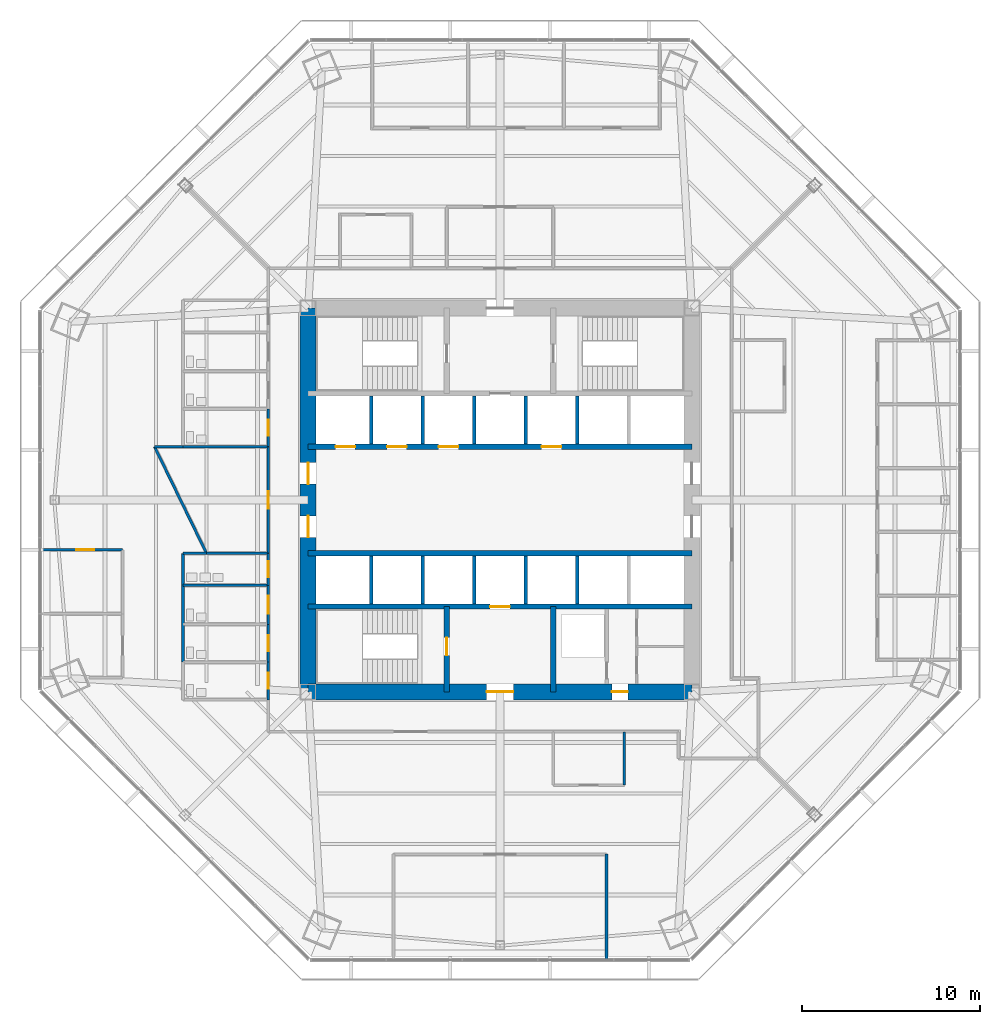
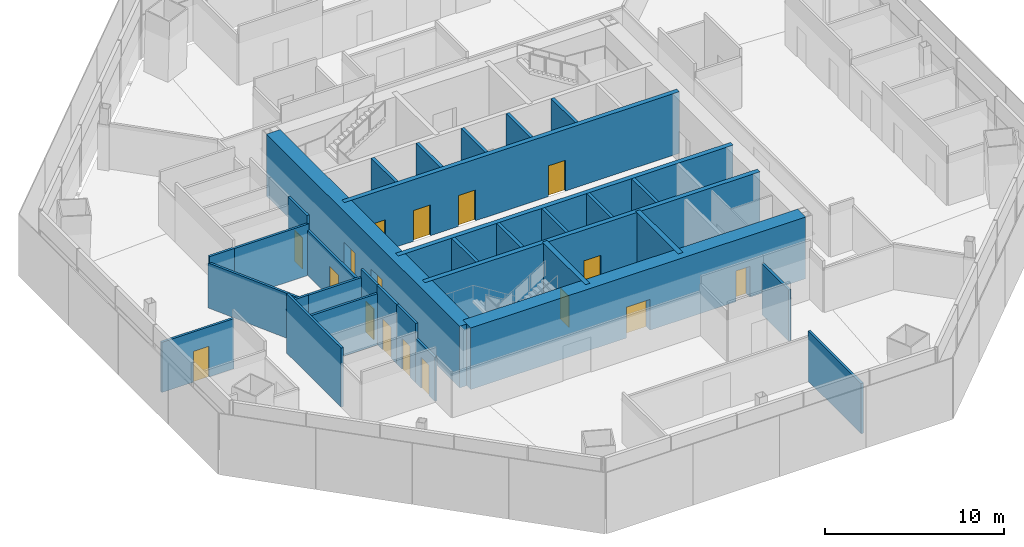
# One storey, part 9 of 15: 33 walls, 17 doors, 17 openings.
"""IFC4 building model written with IfcOpenShell, lengths in metres."""

from ifc_helpers import new_model, si_unit, direction, frame, frame_2d, origin, place, context, subcontext, project, spatial, rectangle, extrude, material, layer, layer_set, type_object, element, fill, save


model = new_model("IFC4")

# Units and contexts
model_context = context("Model", 3, precision=1e-05, world=origin(), true_north=direction((0.0, 1.0)))
body_context = subcontext(model_context, "Body", "Model", "MODEL_VIEW")
ifc_project = project(units=[si_unit("LENGTHUNIT", "METRE"), si_unit("AREAUNIT", "SQUARE_METRE"), si_unit("VOLUMEUNIT", "CUBIC_METRE"), si_unit("PLANEANGLEUNIT", "RADIAN"), si_unit("MASSUNIT", "GRAM", prefix="KILO")], contexts=[model_context])

# Site, building, storey
site_placement = place(None, origin())
site = spatial("IfcSite", under=ifc_project, at=site_placement, CompositionType="ELEMENT")
building_placement = place(site_placement, origin())
building = spatial("IfcBuilding", under=site, at=building_placement, Name="Mashrafa Tower", CompositionType="ELEMENT")
storey_placement = place(building_placement, frame((0.0, 0.0, 75.0)))
storey = spatial("IfcBuildingStorey", under=building, at=storey_placement, Name="L16", CompositionType="ELEMENT", Elevation=75.0)

# Wall, openings, doors
ifc_material_1 = material(Name="Concrete C60/75", Category="concrete")
ifc_layer_1 = layer(ifc_material_1, 0.300048828125)
ifc_layer_set_1 = layer_set([ifc_layer_1], Name="Core wall 300 C60/75")
wall_type_1 = type_object("IfcWallType", Name="Core wall 300 C60/75", PredefinedType="SOLIDWALL", material=ifc_layer_set_1)
wall_1_placement = place(storey_placement, frame((-10.800048828125, 3.0, 0.0), z_axis=(0.0, 0.0, 1.0), x_axis=(1.0, 0.0, 0.0)))
wall_1 = element("IfcWall", 1, at=wall_1_placement, inside=storey, type_object=wall_type_1, Name="Core wall CH-N L16", PredefinedType="SOLIDWALL", context=body_context, shape_type="SweptSolid", body=[
    extrude(rectangle(XDim=21.60009765625, YDim=0.300048828125, at=frame_2d((10.800048828125, 0.0))), origin(), (0.0, 0.0, 1.0), 4.199951171875),
])
opening_1_placement = place(wall_1_placement, frame((1.550048828125, 0.0, 0.0)))
opening_1 = element("IfcOpeningElement", 2, at=opening_1_placement, cuts=wall_1, Name="Opening 16.A1", PredefinedType="OPENING", context=body_context, shape_type="SweptSolid", body=[
    extrude(rectangle(XDim=1.10009765625, YDim=2.10009765625, at=frame_2d((0.550048828125, 1.050048828125))), frame((0.0, 0.159912109375, 0.0), z_axis=(0.0, -1.0, 0.0), x_axis=(1.0, 0.0, 0.0)), (0.0, 0.0, 1.0), 0.320068359375),
])
opening_2_placement = place(wall_1_placement, frame((4.449951171875, 0.0, 0.0)))
opening_2 = element("IfcOpeningElement", 3, at=opening_2_placement, cuts=wall_1, Name="Opening 16.A2", PredefinedType="OPENING", context=body_context, shape_type="SweptSolid", body=[
    extrude(rectangle(XDim=1.10009765625, YDim=2.10009765625, at=frame_2d((0.550048828125, 1.050048828125))), frame((0.0, 0.159912109375, 0.0), z_axis=(0.0, -1.0, 0.0), x_axis=(1.0, 0.0, 0.0)), (0.0, 0.0, 1.0), 0.320068359375),
])
opening_3_placement = place(wall_1_placement, frame((7.35009765625, 0.0, 0.0)))
opening_3 = element("IfcOpeningElement", 4, at=opening_3_placement, cuts=wall_1, Name="Opening 16.A3", PredefinedType="OPENING", context=body_context, shape_type="SweptSolid", body=[
    extrude(rectangle(XDim=1.10009765625, YDim=2.10009765625, at=frame_2d((0.550048828125, 1.050048828125))), frame((0.0, 0.159912109375, 0.0), z_axis=(0.0, -1.0, 0.0), x_axis=(1.0, 0.0, 0.0)), (0.0, 0.0, 1.0), 0.320068359375),
])
opening_4_placement = place(wall_1_placement, frame((13.14990234375, 0.0, 0.0)))
opening_4 = element("IfcOpeningElement", 5, at=opening_4_placement, cuts=wall_1, Name="Opening 16.A4", PredefinedType="OPENING", context=body_context, shape_type="SweptSolid", body=[
    extrude(rectangle(XDim=1.10009765625, YDim=2.10009765625, at=frame_2d((0.550048828125, 1.050048828125))), frame((0.0, 0.159912109375, 0.0), z_axis=(0.0, -1.0, 0.0), x_axis=(1.0, 0.0, 0.0)), (0.0, 0.0, 1.0), 0.320068359375),
])
ifc_material_2 = material(Name="Steel door", Category="steel")
door_type_1 = type_object("IfcDoorType", Name="Lift landing door 1100 x 2100 90 min", OperationType="DOUBLE_DOOR_SLIDING", PredefinedType="DOOR", material=ifc_material_2)
door_1_placement = place(opening_1_placement, origin())
door_1 = element("IfcDoor", 6, at=door_1_placement, inside=storey, type_object=door_type_1, Name="Lift landing door A1 L16", OperationType="DOUBLE_DOOR_SLIDING", OverallHeight=2.10009765625, OverallWidth=1.10009765625, PredefinedType="DOOR", context=body_context, shape_type="SweptSolid", body=[
    extrude(rectangle(XDim=1.10009765625, YDim=2.10009765625, at=frame_2d((0.550048828125, 1.050048828125))), frame((0.0, 0.02490234375, 0.0), z_axis=(0.0, -1.0, 0.0), x_axis=(1.0, 0.0, 0.0)), (0.0, 0.0, 1.0), 0.050048828125),
])
fill(opening_1, door_1)
door_2_placement = place(opening_2_placement, origin())
door_2 = element("IfcDoor", 7, at=door_2_placement, inside=storey, type_object=door_type_1, Name="Lift landing door A2 L16", OperationType="DOUBLE_DOOR_SLIDING", OverallHeight=2.10009765625, OverallWidth=1.10009765625, PredefinedType="DOOR", context=body_context, shape_type="SweptSolid", body=[
    extrude(rectangle(XDim=1.10009765625, YDim=2.10009765625, at=frame_2d((0.550048828125, 1.050048828125))), frame((0.0, 0.02490234375, 0.0), z_axis=(0.0, -1.0, 0.0), x_axis=(1.0, 0.0, 0.0)), (0.0, 0.0, 1.0), 0.050048828125),
])
fill(opening_2, door_2)
door_3_placement = place(opening_3_placement, origin())
door_3 = element("IfcDoor", 8, at=door_3_placement, inside=storey, type_object=door_type_1, Name="Lift landing door A3 L16", OperationType="DOUBLE_DOOR_SLIDING", OverallHeight=2.10009765625, OverallWidth=1.10009765625, PredefinedType="DOOR", context=body_context, shape_type="SweptSolid", body=[
    extrude(rectangle(XDim=1.10009765625, YDim=2.10009765625, at=frame_2d((0.550048828125, 1.050048828125))), frame((0.0, 0.02490234375, 0.0), z_axis=(0.0, -1.0, 0.0), x_axis=(1.0, 0.0, 0.0)), (0.0, 0.0, 1.0), 0.050048828125),
])
fill(opening_3, door_3)
door_4_placement = place(opening_4_placement, origin())
door_4 = element("IfcDoor", 9, at=door_4_placement, inside=storey, type_object=door_type_1, Name="Lift landing door A4 L16", OperationType="DOUBLE_DOOR_SLIDING", OverallHeight=2.10009765625, OverallWidth=1.10009765625, PredefinedType="DOOR", context=body_context, shape_type="SweptSolid", body=[
    extrude(rectangle(XDim=1.10009765625, YDim=2.10009765625, at=frame_2d((0.550048828125, 1.050048828125))), frame((0.0, 0.02490234375, 0.0), z_axis=(0.0, -1.0, 0.0), x_axis=(1.0, 0.0, 0.0)), (0.0, 0.0, 1.0), 0.050048828125),
])
fill(opening_4, door_4)

# Wall
wall_2_placement = place(storey_placement, frame((-10.800048828125, -3.0, 0.0), z_axis=(0.0, 0.0, 1.0), x_axis=(1.0, 0.0, 0.0)))
element("IfcWall", 10, at=wall_2_placement, inside=storey, type_object=wall_type_1, Name="Core wall CH-S L16", PredefinedType="SOLIDWALL", context=body_context, shape_type="SweptSolid", body=[
    extrude(rectangle(XDim=21.60009765625, YDim=0.300048828125, at=frame_2d((10.800048828125, 0.0))), origin(), (0.0, 0.0, 1.0), 4.199951171875),
])

# Wall, opening, door
wall_3_placement = place(storey_placement, frame((-10.800048828125, -6.0, 0.0), z_axis=(0.0, 0.0, 1.0), x_axis=(1.0, 0.0, 0.0)))
wall_3 = element("IfcWall", 11, at=wall_3_placement, inside=storey, type_object=wall_type_1, Name="Core wall CB-S L16", PredefinedType="SOLIDWALL", context=body_context, shape_type="SweptSolid", body=[
    extrude(rectangle(XDim=21.60009765625, YDim=0.300048828125, at=frame_2d((10.800048828125, 0.0))), origin(), (0.0, 0.0, 1.0), 4.199951171875),
])
opening_5_placement = place(wall_3_placement, frame((10.25, 0.0, 0.0)))
opening_5 = element("IfcOpeningElement", 12, at=opening_5_placement, cuts=wall_3, Name="Opening 16.F2", PredefinedType="OPENING", context=body_context, shape_type="SweptSolid", body=[
    extrude(rectangle(XDim=1.10009765625, YDim=2.10009765625, at=frame_2d((0.550048828125, 1.050048828125))), frame((0.0, 0.159912109375, 0.0), z_axis=(0.0, -1.0, 0.0), x_axis=(1.0, 0.0, 0.0)), (0.0, 0.0, 1.0), 0.320068359375),
])
door_5_placement = place(opening_5_placement, origin())
door_5 = element("IfcDoor", 13, at=door_5_placement, inside=storey, type_object=door_type_1, Name="Lift landing door F2 L16", OperationType="DOUBLE_DOOR_SLIDING", OverallHeight=2.10009765625, OverallWidth=1.10009765625, PredefinedType="DOOR", context=body_context, shape_type="SweptSolid", body=[
    extrude(rectangle(XDim=1.10009765625, YDim=2.10009765625, at=frame_2d((0.550048828125, 1.050048828125))), frame((0.0, 0.02490234375, 0.0), z_axis=(0.0, -1.0, 0.0), x_axis=(1.0, 0.0, 0.0)), (0.0, 0.0, 1.0), 0.050048828125),
])
fill(opening_5, door_5)

wall_4_placement = place(storey_placement, frame((-3.0, -6.0, 0.0), z_axis=(0.0, 0.0, 1.0), x_axis=(0.0, -1.0, 0.0)))
wall_4 = element("IfcWall", 14, at=wall_4_placement, inside=storey, type_object=wall_type_1, Name="Core wall CX-SW L16", PredefinedType="SOLIDWALL", context=body_context, shape_type="SweptSolid", body=[
    extrude(rectangle(XDim=4.800048828125, YDim=0.300048828125, at=frame_2d((2.39990234375, 0.0))), origin(), (0.0, 0.0, 1.0), 4.199951171875),
])
opening_6_placement = place(wall_4_placement, frame((1.75, 0.0, 0.0)))
opening_6 = element("IfcOpeningElement", 15, at=opening_6_placement, cuts=wall_4, Name="Opening 16.036", PredefinedType="OPENING", context=body_context, shape_type="SweptSolid", body=[
    extrude(rectangle(XDim=1.0, YDim=2.10009765625, at=frame_2d((0.5, 1.050048828125))), frame((0.0, 0.159912109375, 0.0), z_axis=(0.0, -1.0, 0.0), x_axis=(1.0, 0.0, 0.0)), (0.0, 0.0, 1.0), 0.320068359375),
])
ifc_material_3 = material(Name="Steel door", Category="steel")
door_type_2 = type_object("IfcDoorType", Name="Stair door 1000 x 2100 90 min", OperationType="USERDEFINED", PredefinedType="DOOR", material=ifc_material_3)
door_6_placement = place(opening_6_placement, frame((1.0, 0.0, 0.0), z_axis=(0.0, 0.0, 1.0), x_axis=(-1.0, 0.0, 0.0)))
door_6 = element("IfcDoor", 16, at=door_6_placement, inside=storey, type_object=door_type_2, Name="Stair S3 door L16", OperationType="SINGLE_SWING_RIGHT", OverallHeight=2.10009765625, OverallWidth=1.0, PredefinedType="DOOR", context=body_context, shape_type="SweptSolid", body=[
    extrude(rectangle(XDim=1.0, YDim=2.10009765625, at=frame_2d((0.5, 1.050048828125))), frame((0.0, 0.02490234375, 0.0), z_axis=(0.0, -1.0, 0.0), x_axis=(1.0, 0.0, 0.0)), (0.0, 0.0, 1.0), 0.050048828125),
])
fill(opening_6, door_6)

# Wall
wall_5_placement = place(storey_placement, frame((3.0, -6.0, 0.0), z_axis=(0.0, 0.0, 1.0), x_axis=(0.0, -1.0, 0.0)))
element("IfcWall", 17, at=wall_5_placement, inside=storey, type_object=wall_type_1, Name="Core wall CX-SE L16", PredefinedType="SOLIDWALL", context=body_context, shape_type="SweptSolid", body=[
    extrude(rectangle(XDim=4.800048828125, YDim=0.300048828125, at=frame_2d((2.39990234375, 0.0))), origin(), (0.0, 0.0, 1.0), 4.199951171875),
])

# Wall, openings, doors
ifc_material_4 = material(Name="Concrete C60/75", Category="concrete")
ifc_layer_2 = layer(ifc_material_4, 0.89990234375)
ifc_layer_set_2 = layer_set([ifc_layer_2], Name="Core wall 900 C60/75")
wall_type_2 = type_object("IfcWallType", Name="Core wall 900 C60/75", PredefinedType="SOLIDWALL", material=ifc_layer_set_2)
wall_6_placement = place(storey_placement, frame((-10.800048828125, -10.800048828125, 0.0), z_axis=(0.0, 0.0, 1.0), x_axis=(1.0, 0.0, 0.0)))
wall_6 = element("IfcWall", 18, at=wall_6_placement, inside=storey, type_object=wall_type_2, Name="Core wall CW-S L16", PredefinedType="SOLIDWALL", context=body_context, shape_type="SweptSolid", body=[
    extrude(rectangle(XDim=21.60009765625, YDim=0.89990234375, at=frame_2d((10.800048828125, 0.0))), origin(), (0.0, 0.0, 1.0), 4.199951171875),
])
opening_7_placement = place(wall_6_placement, frame((10.050048828125, 0.0, 0.0)))
opening_7 = element("IfcOpeningElement", 19, at=opening_7_placement, cuts=wall_6, Name="Opening 16.033", PredefinedType="OPENING", context=body_context, shape_type="SweptSolid", body=[
    extrude(rectangle(XDim=1.5, YDim=2.10009765625, at=frame_2d((0.75, 1.050048828125))), frame((0.0, 0.4599609375, 0.0), z_axis=(0.0, -1.0, 0.0), x_axis=(1.0, 0.0, 0.0)), (0.0, 0.0, 1.0), 0.919921875),
])
opening_8_placement = place(wall_6_placement, frame((17.10009765625, 0.0, 0.0)))
opening_8 = element("IfcOpeningElement", 20, at=opening_8_placement, cuts=wall_6, Name="Opening 16.037", PredefinedType="OPENING", context=body_context, shape_type="SweptSolid", body=[
    extrude(rectangle(XDim=0.89990234375, YDim=2.10009765625, at=frame_2d((0.449951171875, 1.050048828125))), frame((0.0, 0.4599609375, 0.0), z_axis=(0.0, -1.0, 0.0), x_axis=(1.0, 0.0, 0.0)), (0.0, 0.0, 1.0), 0.919921875),
])
ifc_material_5 = material(Name="Steel door", Category="steel")
door_type_3 = type_object("IfcDoorType", Name="Lobby door pair 1500 x 2100 90 min", OperationType="DOUBLE_DOOR_SINGLE_SWING", PredefinedType="DOOR", material=ifc_material_5)
door_7_placement = place(opening_7_placement, origin())
door_7 = element("IfcDoor", 21, at=door_7_placement, inside=storey, type_object=door_type_3, Name="Fire-fighting lobby F2 door L16", OperationType="DOUBLE_DOOR_SINGLE_SWING", OverallHeight=2.10009765625, OverallWidth=1.5, PredefinedType="DOOR", context=body_context, shape_type="SweptSolid", body=[
    extrude(rectangle(XDim=1.5, YDim=2.10009765625, at=frame_2d((0.75, 1.050048828125))), frame((0.0, 0.02490234375, 0.0), z_axis=(0.0, -1.0, 0.0), x_axis=(1.0, 0.0, 0.0)), (0.0, 0.0, 1.0), 0.050048828125),
])
fill(opening_7, door_7)
ifc_material_6 = material(Name="Steel door", Category="steel")
door_type_4 = type_object("IfcDoorType", Name="Service door 900 x 2100 90 min", OperationType="USERDEFINED", PredefinedType="DOOR", material=ifc_material_6)
door_8_placement = place(opening_8_placement, frame((0.89990234375, 0.0, 0.0), z_axis=(0.0, 0.0, 1.0), x_axis=(-1.0, 0.0, 0.0)))
door_8 = element("IfcDoor", 22, at=door_8_placement, inside=storey, type_object=door_type_4, Name="Services Lobby L16 door", OperationType="SINGLE_SWING_LEFT", OverallHeight=2.10009765625, OverallWidth=0.89990234375, PredefinedType="DOOR", context=body_context, shape_type="SweptSolid", body=[
    extrude(rectangle(XDim=0.89990234375, YDim=2.10009765625, at=frame_2d((0.449951171875, 1.050048828125))), frame((0.0, 0.02490234375, 0.0), z_axis=(0.0, -1.0, 0.0), x_axis=(1.0, 0.0, 0.0)), (0.0, 0.0, 1.0), 0.050048828125),
])
fill(opening_8, door_8)

wall_7_placement = place(storey_placement, frame((-10.800048828125, 10.800048828125, 0.0), z_axis=(0.0, 0.0, 1.0), x_axis=(0.0, -1.0, 0.0)))
wall_7 = element("IfcWall", 23, at=wall_7_placement, inside=storey, type_object=wall_type_2, Name="Core wall CW-W L16", PredefinedType="SOLIDWALL", context=body_context, shape_type="SweptSolid", body=[
    extrude(rectangle(XDim=21.60009765625, YDim=0.89990234375, at=frame_2d((10.800048828125, 0.0))), origin(), (0.0, 0.0, 1.0), 4.199951171875),
])
opening_9_placement = place(wall_7_placement, frame((8.699951171875, 0.0, 0.0)))
opening_9 = element("IfcOpeningElement", 24, at=opening_9_placement, cuts=wall_7, Name="Opening 16.029", PredefinedType="OPENING", context=body_context, shape_type="SweptSolid", body=[
    extrude(rectangle(XDim=1.199951171875, YDim=2.10009765625, at=frame_2d((0.60009765625, 1.050048828125))), frame((0.0, 0.4599609375, 0.0), z_axis=(0.0, -1.0, 0.0), x_axis=(1.0, 0.0, 0.0)), (0.0, 0.0, 1.0), 0.919921875),
])
opening_10_placement = place(wall_7_placement, frame((11.699951171875, 0.0, 0.0)))
opening_10 = element("IfcOpeningElement", 25, at=opening_10_placement, cuts=wall_7, Name="Opening 16.031", PredefinedType="OPENING", context=body_context, shape_type="SweptSolid", body=[
    extrude(rectangle(XDim=1.199951171875, YDim=2.10009765625, at=frame_2d((0.60009765625, 1.050048828125))), frame((0.0, 0.4599609375, 0.0), z_axis=(0.0, -1.0, 0.0), x_axis=(1.0, 0.0, 0.0)), (0.0, 0.0, 1.0), 0.919921875),
])
ifc_material_7 = material(Name="Steel door", Category="steel")
door_type_5 = type_object("IfcDoorType", Name="Lift hall door 1200 x 2100 90 min", OperationType="USERDEFINED", PredefinedType="DOOR", material=ifc_material_7)
door_9_placement = place(opening_9_placement, frame((1.199951171875, 0.0, 0.0), z_axis=(0.0, 0.0, 1.0), x_axis=(-1.0, 0.0, 0.0)))
door_9 = element("IfcDoor", 26, at=door_9_placement, inside=storey, type_object=door_type_5, Name="Lift hall door west L16", OperationType="SINGLE_SWING_RIGHT", OverallHeight=2.10009765625, OverallWidth=1.199951171875, PredefinedType="DOOR", context=body_context, shape_type="SweptSolid", body=[
    extrude(rectangle(XDim=1.199951171875, YDim=2.10009765625, at=frame_2d((0.60009765625, 1.050048828125))), frame((0.0, 0.02490234375, 0.0), z_axis=(0.0, -1.0, 0.0), x_axis=(1.0, 0.0, 0.0)), (0.0, 0.0, 1.0), 0.050048828125),
])
fill(opening_9, door_9)
door_10_placement = place(opening_10_placement, frame((1.199951171875, 0.0, 0.0), z_axis=(0.0, 0.0, 1.0), x_axis=(-1.0, 0.0, 0.0)))
door_10 = element("IfcDoor", 27, at=door_10_placement, inside=storey, type_object=door_type_5, Name="Lift hall door west L16", OperationType="SINGLE_SWING_LEFT", OverallHeight=2.10009765625, OverallWidth=1.199951171875, PredefinedType="DOOR", context=body_context, shape_type="SweptSolid", body=[
    extrude(rectangle(XDim=1.199951171875, YDim=2.10009765625, at=frame_2d((0.60009765625, 1.050048828125))), frame((0.0, 0.02490234375, 0.0), z_axis=(0.0, -1.0, 0.0), x_axis=(1.0, 0.0, 0.0)), (0.0, 0.0, 1.0), 0.050048828125),
])
fill(opening_10, door_10)

# Wall, opening, door
ifc_material_8 = material(Name="Gypsum board on steel studs", Category="steel")
ifc_layer_3 = layer(ifc_material_8, 0.14990234375)
ifc_layer_set_3 = layer_set([ifc_layer_3], Name="Corridor partition 150 1 hr")
wall_type_3 = type_object("IfcWallType", Name="Corridor partition 150 1 hr", PredefinedType="PARTITIONING", material=ifc_layer_set_3)
wall_8_placement = place(storey_placement, frame((-13.050048828125, 5.1259765625, 0.0), z_axis=(0.0, 0.0, 1.0), x_axis=(0.0, -1.0, 0.0)))
wall_8 = element("IfcWall", 28, at=wall_8_placement, inside=storey, type_object=wall_type_3, Name="Corridor wall L16-001", PredefinedType="PARTITIONING", context=body_context, shape_type="SweptSolid", body=[
    extrude(rectangle(XDim=2.126953125, YDim=0.14990234375, at=frame_2d((1.0634765625, 0.0))), origin(), (0.0, 0.0, 1.0), 4.034912109375),
])
opening_11_placement = place(wall_8_placement, frame((0.613525390625, 0.0, 0.0)))
opening_11 = element("IfcOpeningElement", 29, at=opening_11_placement, cuts=wall_8, Name="Opening 16.001", PredefinedType="OPENING", context=body_context, shape_type="SweptSolid", body=[
    extrude(rectangle(XDim=0.89990234375, YDim=2.10009765625, at=frame_2d((0.449951171875, 1.050048828125))), frame((0.0, 0.0849609375, 0.0), z_axis=(0.0, -1.0, 0.0), x_axis=(1.0, 0.0, 0.0)), (0.0, 0.0, 1.0), 0.169921875),
])
ifc_material_9 = material(Name="Timber door", Category="wood")
door_type_6 = type_object("IfcDoorType", Name="Toilet door 900 x 2100", OperationType="USERDEFINED", PredefinedType="DOOR", material=ifc_material_9)
door_11_placement = place(opening_11_placement, frame((0.89990234375, 0.0, 0.0), z_axis=(0.0, 0.0, 1.0), x_axis=(-1.0, 0.0, 0.0)))
door_11 = element("IfcDoor", 30, at=door_11_placement, inside=storey, type_object=door_type_6, Name="WC Female L16 N door", OperationType="SINGLE_SWING_RIGHT", OverallHeight=2.10009765625, OverallWidth=0.89990234375, PredefinedType="DOOR", context=body_context, shape_type="SweptSolid", body=[
    extrude(rectangle(XDim=0.89990234375, YDim=2.10009765625, at=frame_2d((0.449951171875, 1.050048828125))), frame((0.0, 0.02490234375, 0.0), z_axis=(0.0, -1.0, 0.0), x_axis=(1.0, 0.0, 0.0)), (0.0, 0.0, 1.0), 0.050048828125),
])
fill(opening_11, door_11)

wall_9_placement = place(storey_placement, frame((-13.050048828125, -9.1240234375, 0.0), z_axis=(0.0, 0.0, 1.0), x_axis=(0.0, -1.0, 0.0)))
wall_9 = element("IfcWall", 31, at=wall_9_placement, inside=storey, type_object=wall_type_3, Name="Corridor wall L16-005", PredefinedType="PARTITIONING", context=body_context, shape_type="SweptSolid", body=[
    extrude(rectangle(XDim=2.126953125, YDim=0.14990234375, at=frame_2d((1.0634765625, 0.0))), origin(), (0.0, 0.0, 1.0), 3.01416015625),
])
opening_12_placement = place(wall_9_placement, frame((0.613525390625, 0.0, 0.0)))
opening_12 = element("IfcOpeningElement", 32, at=opening_12_placement, cuts=wall_9, Name="Opening 16.005", PredefinedType="OPENING", context=body_context, shape_type="SweptSolid", body=[
    extrude(rectangle(XDim=0.89990234375, YDim=2.10009765625, at=frame_2d((0.449951171875, 1.050048828125))), frame((0.0, 0.0849609375, 0.0), z_axis=(0.0, -1.0, 0.0), x_axis=(1.0, 0.0, 0.0)), (0.0, 0.0, 1.0), 0.169921875),
])
door_12_placement = place(opening_12_placement, frame((0.89990234375, 0.0, 0.0), z_axis=(0.0, 0.0, 1.0), x_axis=(-1.0, 0.0, 0.0)))
door_12 = element("IfcDoor", 33, at=door_12_placement, inside=storey, type_object=door_type_6, Name="WC Female L16 S door", OperationType="SINGLE_SWING_RIGHT", OverallHeight=2.10009765625, OverallWidth=0.89990234375, PredefinedType="DOOR", context=body_context, shape_type="SweptSolid", body=[
    extrude(rectangle(XDim=0.89990234375, YDim=2.10009765625, at=frame_2d((0.449951171875, 1.050048828125))), frame((0.0, 0.02490234375, 0.0), z_axis=(0.0, -1.0, 0.0), x_axis=(1.0, 0.0, 0.0)), (0.0, 0.0, 1.0), 0.050048828125),
])
fill(opening_12, door_12)

wall_10_placement = place(storey_placement, frame((-13.050048828125, -6.9990234375, 0.0), z_axis=(0.0, 0.0, 1.0), x_axis=(0.0, -1.0, 0.0)))
wall_10 = element("IfcWall", 34, at=wall_10_placement, inside=storey, type_object=wall_type_3, Name="Corridor wall L16-006", PredefinedType="PARTITIONING", context=body_context, shape_type="SweptSolid", body=[
    extrude(rectangle(XDim=2.126953125, YDim=0.14990234375, at=frame_2d((1.0634765625, 0.0))), origin(), (0.0, 0.0, 1.0), 4.034912109375),
])
opening_13_placement = place(wall_10_placement, frame((0.613525390625, 0.0, 0.0)))
opening_13 = element("IfcOpeningElement", 35, at=opening_13_placement, cuts=wall_10, Name="Opening 16.006", PredefinedType="OPENING", context=body_context, shape_type="SweptSolid", body=[
    extrude(rectangle(XDim=0.89990234375, YDim=2.10009765625, at=frame_2d((0.449951171875, 1.050048828125))), frame((0.0, 0.0849609375, 0.0), z_axis=(0.0, -1.0, 0.0), x_axis=(1.0, 0.0, 0.0)), (0.0, 0.0, 1.0), 0.169921875),
])
door_13_placement = place(opening_13_placement, frame((0.89990234375, 0.0, 0.0), z_axis=(0.0, 0.0, 1.0), x_axis=(-1.0, 0.0, 0.0)))
door_13 = element("IfcDoor", 36, at=door_13_placement, inside=storey, type_object=door_type_6, Name="WC Male L16 S door", OperationType="SINGLE_SWING_RIGHT", OverallHeight=2.10009765625, OverallWidth=0.89990234375, PredefinedType="DOOR", context=body_context, shape_type="SweptSolid", body=[
    extrude(rectangle(XDim=0.89990234375, YDim=2.10009765625, at=frame_2d((0.449951171875, 1.050048828125))), frame((0.0, 0.02490234375, 0.0), z_axis=(0.0, -1.0, 0.0), x_axis=(1.0, 0.0, 0.0)), (0.0, 0.0, 1.0), 0.050048828125),
])
fill(opening_13, door_13)

wall_11_placement = place(storey_placement, frame((-13.050048828125, -4.799072265625, 0.0), z_axis=(0.0, 0.0, 1.0), x_axis=(0.0, -1.0, 0.0)))
wall_11 = element("IfcWall", 37, at=wall_11_placement, inside=storey, type_object=wall_type_3, Name="Corridor wall L16-007", PredefinedType="PARTITIONING", context=body_context, shape_type="SweptSolid", body=[
    extrude(rectangle(XDim=2.201904296875, YDim=0.14990234375, at=frame_2d((1.10107421875, 0.0))), origin(), (0.0, 0.0, 1.0), 4.034912109375),
])
opening_14_placement = place(wall_11_placement, frame((0.60107421875, 0.0, 0.0)))
opening_14 = element("IfcOpeningElement", 38, at=opening_14_placement, cuts=wall_11, Name="Opening 16.007", PredefinedType="OPENING", context=body_context, shape_type="SweptSolid", body=[
    extrude(rectangle(XDim=1.0, YDim=2.10009765625, at=frame_2d((0.5, 1.050048828125))), frame((0.0, 0.0849609375, 0.0), z_axis=(0.0, -1.0, 0.0), x_axis=(1.0, 0.0, 0.0)), (0.0, 0.0, 1.0), 0.169921875),
])
ifc_material_10 = material(Name="Timber door", Category="wood")
door_type_7 = type_object("IfcDoorType", Name="Accessible toilet door 1000 x 2100", OperationType="USERDEFINED", PredefinedType="DOOR", material=ifc_material_10)
door_14_placement = place(opening_14_placement, frame((1.0, 0.0, 0.0), z_axis=(0.0, 0.0, 1.0), x_axis=(-1.0, 0.0, 0.0)))
door_14 = element("IfcDoor", 39, at=door_14_placement, inside=storey, type_object=door_type_7, Name="Accessible WC L16 S door", OperationType="SINGLE_SWING_LEFT", OverallHeight=2.10009765625, OverallWidth=1.0, PredefinedType="DOOR", context=body_context, shape_type="SweptSolid", body=[
    extrude(rectangle(XDim=1.0, YDim=2.10009765625, at=frame_2d((0.5, 1.050048828125))), frame((0.0, 0.02490234375, 0.0), z_axis=(0.0, -1.0, 0.0), x_axis=(1.0, 0.0, 0.0)), (0.0, 0.0, 1.0), 0.050048828125),
])
fill(opening_14, door_14)

wall_12_placement = place(storey_placement, frame((-13.050048828125, -2.9990234375, 0.0), z_axis=(0.0, 0.0, 1.0), x_axis=(0.0, -1.0, 0.0)))
wall_12 = element("IfcWall", 40, at=wall_12_placement, inside=storey, type_object=wall_type_3, Name="Corridor wall L16-008", PredefinedType="PARTITIONING", context=body_context, shape_type="SweptSolid", body=[
    extrude(rectangle(XDim=1.802001953125, YDim=0.14990234375, at=frame_2d((0.90087890625, 0.0))), origin(), (0.0, 0.0, 1.0), 4.034912109375),
])
opening_15_placement = place(wall_12_placement, frame((0.450927734375, 0.0, 0.0)))
opening_15 = element("IfcOpeningElement", 41, at=opening_15_placement, cuts=wall_12, Name="Opening 16.008", PredefinedType="OPENING", context=body_context, shape_type="SweptSolid", body=[
    extrude(rectangle(XDim=0.89990234375, YDim=2.10009765625, at=frame_2d((0.449951171875, 1.050048828125))), frame((0.0, 0.0849609375, 0.0), z_axis=(0.0, -1.0, 0.0), x_axis=(1.0, 0.0, 0.0)), (0.0, 0.0, 1.0), 0.169921875),
])
door_15_placement = place(opening_15_placement, frame((0.89990234375, 0.0, 0.0), z_axis=(0.0, 0.0, 1.0), x_axis=(-1.0, 0.0, 0.0)))
door_15 = element("IfcDoor", 42, at=door_15_placement, inside=storey, type_object=door_type_6, Name="Ablution Room L16 S door", OperationType="SINGLE_SWING_RIGHT", OverallHeight=2.10009765625, OverallWidth=0.89990234375, PredefinedType="DOOR", context=body_context, shape_type="SweptSolid", body=[
    extrude(rectangle(XDim=0.89990234375, YDim=2.10009765625, at=frame_2d((0.449951171875, 1.050048828125))), frame((0.0, 0.02490234375, 0.0), z_axis=(0.0, -1.0, 0.0), x_axis=(1.0, 0.0, 0.0)), (0.0, 0.0, 1.0), 0.050048828125),
])
fill(opening_15, door_15)

wall_13_placement = place(storey_placement, frame((-13.050048828125, 3.0009765625, 0.0), z_axis=(0.0, 0.0, 1.0), x_axis=(0.0, -1.0, 0.0)))
wall_13 = element("IfcWall", 43, at=wall_13_placement, inside=storey, type_object=wall_type_3, Name="Corridor wall L16-009", PredefinedType="PARTITIONING", context=body_context, shape_type="SweptSolid", body=[
    extrude(rectangle(XDim=6.001953125, YDim=0.14990234375, at=frame_2d((3.0009765625, 0.0))), origin(), (0.0, 0.0, 1.0), 3.06494140625),
])
opening_16_placement = place(wall_13_placement, frame((2.5009765625, 0.0, 0.0)))
opening_16 = element("IfcOpeningElement", 44, at=opening_16_placement, cuts=wall_13, Name="Opening 16.009", PredefinedType="OPENING", context=body_context, shape_type="SweptSolid", body=[
    extrude(rectangle(XDim=1.0, YDim=2.10009765625, at=frame_2d((0.5, 1.050048828125))), frame((0.0, 0.0849609375, 0.0), z_axis=(0.0, -1.0, 0.0), x_axis=(1.0, 0.0, 0.0)), (0.0, 0.0, 1.0), 0.169921875),
])
ifc_material_11 = material(Name="Timber door", Category="wood")
door_type_8 = type_object("IfcDoorType", Name="Door 1000 x 2100", OperationType="USERDEFINED", PredefinedType="DOOR", material=ifc_material_11)
door_16_placement = place(opening_16_placement, frame((1.0, 0.0, 0.0), z_axis=(0.0, 0.0, 1.0), x_axis=(-1.0, 0.0, 0.0)))
door_16 = element("IfcDoor", 45, at=door_16_placement, inside=storey, type_object=door_type_8, Name="Musallah Prayer Room 16 door", OperationType="SINGLE_SWING_LEFT", OverallHeight=2.10009765625, OverallWidth=1.0, PredefinedType="DOOR", context=body_context, shape_type="SweptSolid", body=[
    extrude(rectangle(XDim=1.0, YDim=2.10009765625, at=frame_2d((0.5, 1.050048828125))), frame((0.0, 0.02490234375, 0.0), z_axis=(0.0, -1.0, 0.0), x_axis=(1.0, 0.0, 0.0)), (0.0, 0.0, 1.0), 0.050048828125),
])
fill(opening_16, door_16)

# Walls
ifc_material_12 = material(Name="Gypsum board on steel studs", Category="steel")
ifc_layer_4 = layer(ifc_material_12, 0.14990234375)
ifc_layer_set_4 = layer_set([ifc_layer_4], Name="Partition 150")
wall_type_4 = type_object("IfcWallType", Name="Partition 150", PredefinedType="PARTITIONING", material=ifc_layer_set_4)
wall_14_placement = place(storey_placement, frame((-17.85009765625, 3.0, 0.0), z_axis=(0.0, 0.0, 1.0), x_axis=(1.0, 0.0, 0.0)))
element("IfcWall", 46, at=wall_14_placement, inside=storey, type_object=wall_type_4, Name="Partition wall L16-028", PredefinedType="PARTITIONING", context=body_context, shape_type="SweptSolid", body=[
    extrude(rectangle(XDim=4.800048828125, YDim=0.14990234375, at=frame_2d((2.39990234375, 0.0))), origin(), (0.0, 0.0, 1.0), 3.49169921875),
])
wall_15_placement = place(storey_placement, frame((-17.85009765625, -9.125, 0.0), z_axis=(0.0, 0.0, 1.0), x_axis=(0.0, 1.0, 0.0)))
element("IfcWall", 47, at=wall_15_placement, inside=storey, type_object=wall_type_4, Name="Partition wall L16-040", PredefinedType="PARTITIONING", context=body_context, shape_type="SweptSolid", body=[
    extrude(rectangle(XDim=6.125, YDim=0.14990234375, at=frame_2d((3.0625, 0.0))), origin(), (0.0, 0.0, 1.0), 4.034912109375),
])
wall_16_placement = place(storey_placement, frame((-13.050048828125, -4.800048828125, 0.0), z_axis=(0.0, 0.0, 1.0), x_axis=(-1.0, 0.0, 0.0)))
element("IfcWall", 48, at=wall_16_placement, inside=storey, type_object=wall_type_4, Name="Partition wall L16-041", PredefinedType="PARTITIONING", context=body_context, shape_type="SweptSolid", body=[
    extrude(rectangle(XDim=4.800048828125, YDim=0.14990234375, at=frame_2d((2.39990234375, 0.0))), origin(), (0.0, 0.0, 1.0), 3.49169921875),
])
wall_17_placement = place(storey_placement, frame((-13.050048828125, -3.0, 0.0), z_axis=(0.0, 0.0, 1.0), x_axis=(-1.0, 0.0, 0.0)))
element("IfcWall", 49, at=wall_17_placement, inside=storey, type_object=wall_type_4, Name="Partition wall L16-043", PredefinedType="PARTITIONING", context=body_context, shape_type="SweptSolid", body=[
    extrude(rectangle(XDim=3.474609375, YDim=0.14990234375, at=frame_2d((1.7373046875, 0.0))), origin(), (0.0, 0.0, 1.0), 3.49169921875),
])
wall_18_placement = place(storey_placement, frame((-16.5224609375, -3.0, 0.0), z_axis=(0.0, 0.0, 1.0), x_axis=(-1.0, 0.0, 0.0)))
element("IfcWall", 50, at=wall_18_placement, inside=storey, type_object=wall_type_4, Name="Partition wall L16-044", PredefinedType="PARTITIONING", context=body_context, shape_type="SweptSolid", body=[
    extrude(rectangle(XDim=1.32763671875, YDim=0.14990234375, at=frame_2d((0.663818359375, 0.0))), origin(), (0.0, 0.0, 1.0), 3.49658203125),
])
wall_19_placement = place(storey_placement, frame((-17.84912109375, 3.0, 0.0), z_axis=(0.0, 0.0, 1.0), x_axis=(-1.0, 0.0, 0.0)))
element("IfcWall", 51, at=wall_19_placement, inside=storey, type_object=wall_type_4, Name="Partition wall L16-046", PredefinedType="PARTITIONING", context=body_context, shape_type="SweptSolid", body=[
    extrude(rectangle(XDim=1.600830078125, YDim=0.14990234375, at=frame_2d((0.80029296875, 0.0))), origin(), (0.0, 0.0, 1.0), 3.49658203125),
])
wall_20_placement = place(storey_placement, frame((-19.449951171875, 3.0, 0.0), z_axis=(0.0, 0.0, 1.0), x_axis=(0.43835589904, -0.898801482963, 0.0)))
element("IfcWall", 52, at=wall_20_placement, inside=storey, type_object=wall_type_4, Name="Partition wall L16-047", PredefinedType="PARTITIONING", context=body_context, shape_type="SweptSolid", body=[
    extrude(rectangle(XDim=6.675537109375, YDim=0.14990234375, at=frame_2d((3.337890625, 0.0))), origin(), (0.0, 0.0, 1.0), 3.06494140625),
])
wall_21_placement = place(storey_placement, frame((6.0, -25.875, 0.0), z_axis=(0.0, 0.0, 1.0), x_axis=(0.0, 1.0, 0.0)))
element("IfcWall", 53, at=wall_21_placement, inside=storey, type_object=wall_type_4, Name="Partition wall L16-057", PredefinedType="PARTITIONING", context=body_context, shape_type="SweptSolid", body=[
    extrude(rectangle(XDim=5.931884765625, YDim=0.14990234375, at=frame_2d((2.9658203125, 0.0))), origin(), (0.0, 0.0, 1.0), 3.423095703125),
])
wall_22_placement = place(storey_placement, frame((7.0, -16.050048828125, 0.0), z_axis=(0.0, 0.0, 1.0), x_axis=(0.0, 1.0, 0.0)))
element("IfcWall", 54, at=wall_22_placement, inside=storey, type_object=wall_type_4, Name="Partition wall L16-062", PredefinedType="PARTITIONING", context=body_context, shape_type="SweptSolid", body=[
    extrude(rectangle(XDim=3.0, YDim=0.14990234375, at=frame_2d((1.5, 0.0))), origin(), (0.0, 0.0, 1.0), 3.49169921875),
])

# Wall, opening, door
wall_23_placement = place(storey_placement, frame((-21.2431640625, -2.805908203125, 0.0), z_axis=(0.0, 0.0, 1.0), x_axis=(-1.0, 0.0, 0.0)))
wall_23 = element("IfcWall", 55, at=wall_23_placement, inside=storey, type_object=wall_type_4, Name="Partition wall L16-086", PredefinedType="PARTITIONING", context=body_context, shape_type="SweptSolid", body=[
    extrude(rectangle(XDim=4.634033203125, YDim=0.14990234375, at=frame_2d((2.31689453125, 0.0))), origin(), (0.0, 0.0, 1.0), 3.423095703125),
])
opening_17_placement = place(wall_23_placement, frame((1.60009765625, 0.0, 0.0)))
opening_17 = element("IfcOpeningElement", 56, at=opening_17_placement, cuts=wall_23, Name="Opening 16.023", PredefinedType="OPENING", context=body_context, shape_type="SweptSolid", body=[
    extrude(rectangle(XDim=1.0, YDim=2.10009765625, at=frame_2d((0.5, 1.050048828125))), frame((0.0, 0.0849609375, 0.0), z_axis=(0.0, -1.0, 0.0), x_axis=(1.0, 0.0, 0.0)), (0.0, 0.0, 1.0), 0.169921875),
])
door_17_placement = place(opening_17_placement, origin())
door_17 = element("IfcDoor", 57, at=door_17_placement, inside=storey, type_object=door_type_8, Name="Office 16-S-1 door", OperationType="SINGLE_SWING_RIGHT", OverallHeight=2.10009765625, OverallWidth=1.0, PredefinedType="DOOR", context=body_context, shape_type="SweptSolid", body=[
    extrude(rectangle(XDim=1.0, YDim=2.10009765625, at=frame_2d((0.5, 1.050048828125))), frame((0.0, 0.02490234375, 0.0), z_axis=(0.0, -1.0, 0.0), x_axis=(1.0, 0.0, 0.0)), (0.0, 0.0, 1.0), 0.050048828125),
])
fill(opening_17, door_17)

# Walls
ifc_material_13 = material(Name="Gypsum shaft wall on steel studs", Category="steel")
ifc_layer_5 = layer(ifc_material_13, 0.199951171875)
ifc_layer_set_5 = layer_set([ifc_layer_5], Name="Shaft divider wall 200 2 hr")
wall_type_5 = type_object("IfcWallType", Name="Shaft divider wall 200 2 hr", PredefinedType="PARTITIONING", material=ifc_layer_set_5)
for number, where, z_axis, x_axis, name in (
    (58, (-7.25, 3.14990234375, 0.0), (0.0, 0.0, 1.0), (0.0, 1.0, 0.0), "Shaft divider wall N1 L16"),
    (59, (-4.35009765625, 3.14990234375, 0.0), (0.0, 0.0, 1.0), (0.0, 1.0, 0.0), "Shaft divider wall N2 L16"),
    (60, (-1.449951171875, 3.14990234375, 0.0), (0.0, 0.0, 1.0), (0.0, 1.0, 0.0), "Shaft divider wall N3 L16"),
    (61, (1.449951171875, 3.14990234375, 0.0), (0.0, 0.0, 1.0), (0.0, 1.0, 0.0), "Shaft divider wall N4 L16"),
    (62, (4.35009765625, 3.14990234375, 0.0), (0.0, 0.0, 1.0), (0.0, 1.0, 0.0), "Shaft divider wall N5 L16"),
    (63, (-7.25, -5.85009765625, 0.0), (0.0, 0.0, 1.0), (0.0, 1.0, 0.0), "Shaft divider wall S1 L16"),
    (64, (-4.35009765625, -5.85009765625, 0.0), (0.0, 0.0, 1.0), (0.0, 1.0, 0.0), "Shaft divider wall S2 L16"),
    (65, (-1.449951171875, -5.85009765625, 0.0), (0.0, 0.0, 1.0), (0.0, 1.0, 0.0), "Shaft divider wall S3 L16"),
    (66, (1.449951171875, -5.85009765625, 0.0), (0.0, 0.0, 1.0), (0.0, 1.0, 0.0), "Shaft divider wall S4 L16"),
    (67, (4.35009765625, -5.85009765625, 0.0), (0.0, 0.0, 1.0), (0.0, 1.0, 0.0), "Shaft divider wall S5 L16"),
):
    element("IfcWall", number, at=place(storey_placement, frame(where, z_axis=z_axis, x_axis=x_axis)), inside=storey, type_object=wall_type_5, Name=name, PredefinedType="PARTITIONING", context=body_context, shape_type="SweptSolid", body=[
        extrude(rectangle(XDim=2.7001953125, YDim=0.199951171875, at=frame_2d((1.35009765625, 0.0))), origin(), (0.0, 0.0, 1.0), 4.199951171875),
    ])

save(model, "model.ifc")
